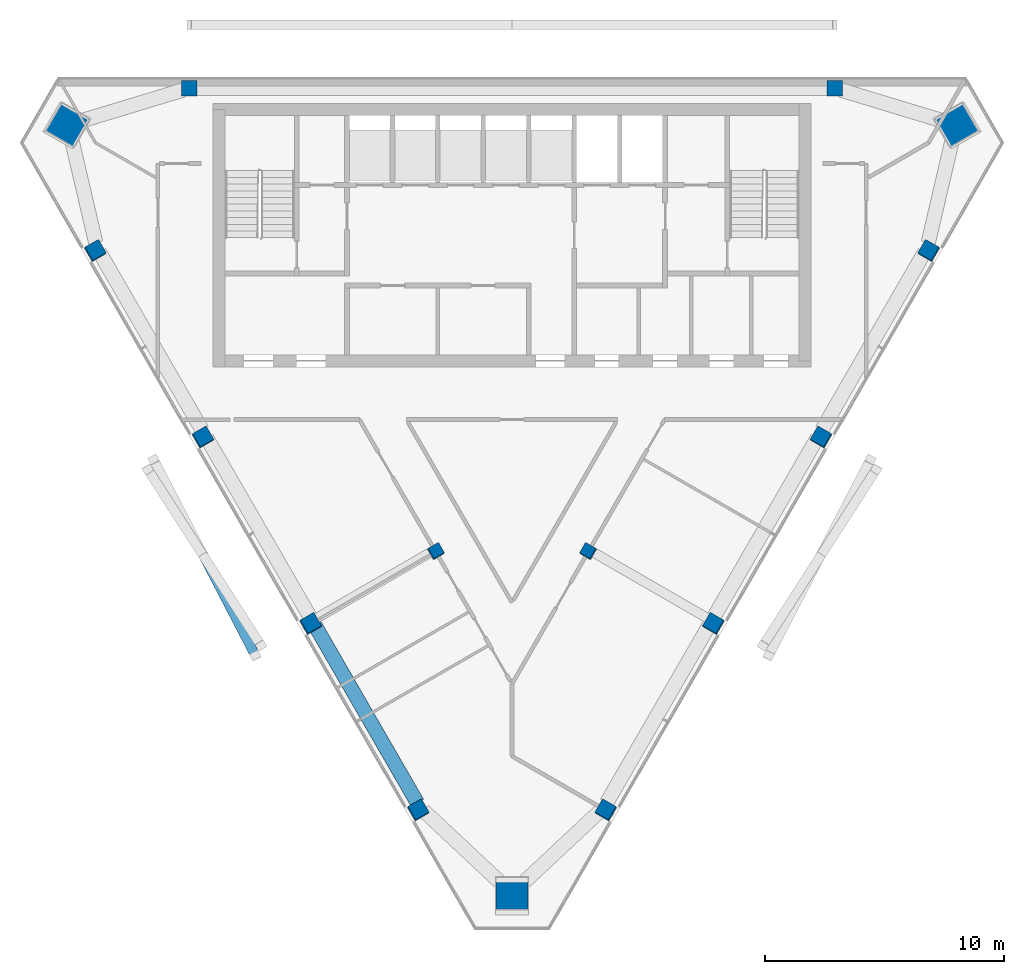
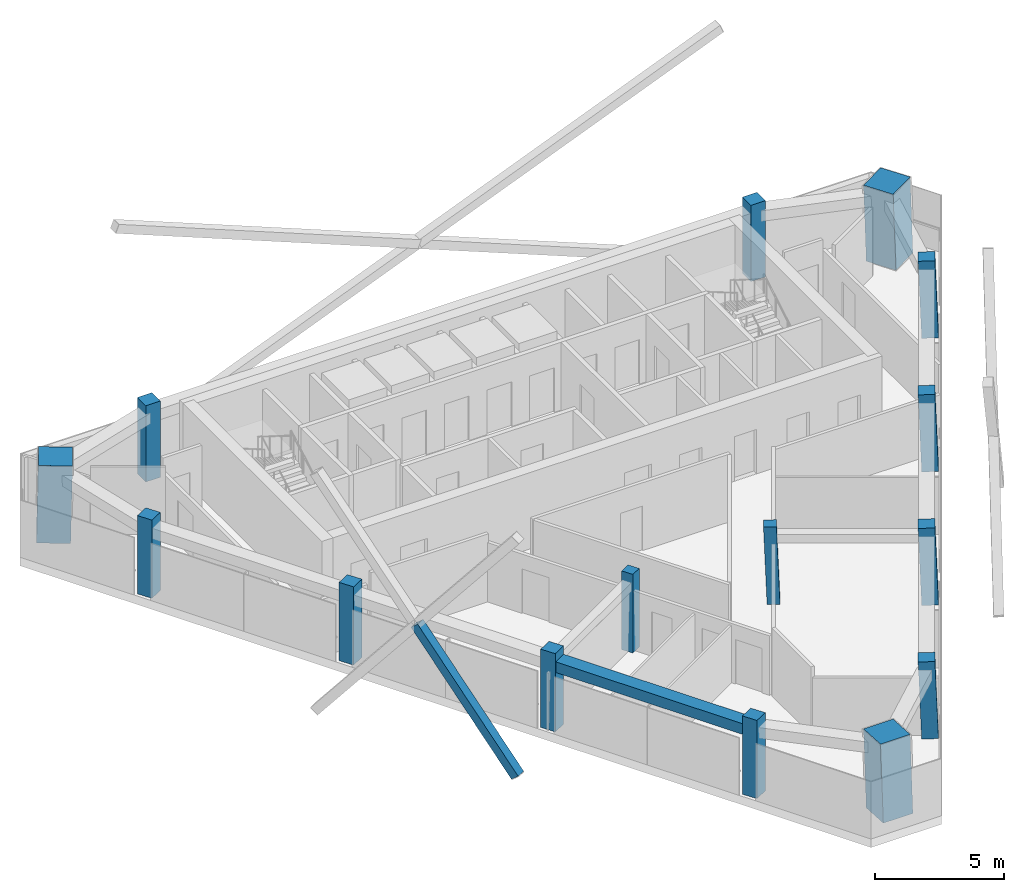
# One storey, part 1 of 10: 15 columns, 1 beam, 1 member.
"""IFC4 building model written with IfcOpenShell, lengths in metres."""

from ifc_helpers import new_model, si_unit, direction, frame, origin, origin_2d, place, context, subcontext, project, spatial, rectangle, hollow_rectangle, extrude, material, material_profile, profile_set, type_object, element, save


model = new_model("IFC4")

# Units and contexts
model_context = context("Model", 3, precision=1e-05, world=origin(), true_north=direction((0.0, 1.0)))
body_context = subcontext(model_context, "Body", "Model", "MODEL_VIEW")
ifc_project = project(units=[si_unit("LENGTHUNIT", "METRE"), si_unit("AREAUNIT", "SQUARE_METRE"), si_unit("VOLUMEUNIT", "CUBIC_METRE"), si_unit("PLANEANGLEUNIT", "RADIAN"), si_unit("MASSUNIT", "GRAM", prefix="KILO")], contexts=[model_context])

# Site, building, storey
site_placement = place(None, origin())
site = spatial("IfcSite", under=ifc_project, at=site_placement, CompositionType="ELEMENT")
building_placement = place(site_placement, origin())
building = spatial("IfcBuilding", under=site, at=building_placement, Name="Altiplano Prism Tower", CompositionType="ELEMENT")
storey_placement = place(building_placement, frame((0.0, 0.0, 347.199951171875)))
storey = spatial("IfcBuildingStorey", under=building, at=storey_placement, Name="L90", CompositionType="ELEMENT", Elevation=347.199951171875)

# Columns
ifc_material_1 = material(Name="Concrete C60/75", Category="concrete")
ifc_material_profile_1 = material_profile(ifc_material_1, rectangle(XDim=0.5, YDim=0.5, at=origin_2d()), Name="Inner column 500")
ifc_profile_set_1 = profile_set([ifc_material_profile_1], Name="Concrete C60/75")
column_type_1 = type_object("IfcColumnType", Name="Inner column 500", PredefinedType="COLUMN", material=ifc_profile_set_1)
for number, where, z_axis, x_axis, name in (
    (1, (81.806884765625, 85.17529296875, -0.01513671875), (0.022221406801, 0.038413224561, 0.999014831351), (-0.866024065394, -0.498523117158, 0.038432015521), "Inner column I13 L90"),
    (2, (88.193115234375, 85.17529296875, -0.01513671875), (-0.022221406801, 0.038413224561, 0.999014831351), (-0.499508285454, -0.866024899087, 0.022188891913), "Inner column I22 L90"),
):
    element("IfcColumn", number, at=place(storey_placement, frame(where, z_axis=z_axis, x_axis=x_axis)), inside=storey, type_object=column_type_1, Name=name, PredefinedType="COLUMN", context=body_context, shape_type="SweptSolid", body=[
        extrude(rectangle(XDim=0.5, YDim=0.5, at=origin_2d()), origin(), (0.0, 0.0, 1.0), 3.603759765625),
    ])
ifc_material_2 = material(Name="Concrete C70/85", Category="concrete")
ifc_material_profile_2 = material_profile(ifc_material_2, rectangle(XDim=1.320068359375, YDim=1.320068359375, at=origin_2d()), Name="Mega column infill 1400")
ifc_profile_set_2 = profile_set([ifc_material_profile_2], Name="Concrete C70/85")
column_type_2 = type_object("IfcColumnType", Name="Mega column infill 1400", PredefinedType="COLUMN", material=ifc_profile_set_2)
column_1_placement = place(storey_placement, frame((66.347412109375, 102.984375, 0.0), z_axis=(0.028401814599, 0.009218727412, 0.999554076572), x_axis=(-0.865125874126, 0.501157480114, 0.019960011119)))
element("IfcColumn", 3, at=column_1_placement, inside=storey, type_object=column_type_2, Name="Mega column M0 L90", PredefinedType="COLUMN", context=body_context, shape_type="SweptSolid", body=[
    extrude(rectangle(XDim=1.320068359375, YDim=1.320068359375, at=origin_2d()), origin(), (0.0, 0.0, 1.0), 3.601806640625),
])
column_2_placement = place(storey_placement, frame((85.0, 70.67724609375, 0.0), z_axis=(0.0, 0.058356907999, 0.998295783467), x_axis=(-1.0, 0.0, 0.0)))
element("IfcColumn", 4, at=column_2_placement, inside=storey, type_object=column_type_2, Name="Mega column M1 L90", PredefinedType="COLUMN", context=body_context, shape_type="SweptSolid", body=[
    extrude(rectangle(XDim=1.320068359375, YDim=1.320068359375, at=origin_2d()), origin(), (0.0, 0.0, 1.0), 3.606201171875),
])
column_3_placement = place(storey_placement, frame((103.652587890625, 102.984375, 0.0), z_axis=(-0.028401814599, 0.009218727412, 0.999554076572), x_axis=(0.500749996351, -0.865306994766, 0.022209141446)))
element("IfcColumn", 5, at=column_3_placement, inside=storey, type_object=column_type_2, Name="Mega column M2 L90", PredefinedType="COLUMN", context=body_context, shape_type="SweptSolid", body=[
    extrude(rectangle(XDim=1.320068359375, YDim=1.320068359375, at=origin_2d()), origin(), (0.0, 0.0, 1.0), 3.601806640625),
])
ifc_material_profile_3 = material_profile(ifc_material_1, rectangle(XDim=0.64990234375, YDim=0.64990234375, at=origin_2d()), Name="Perimeter column 650")
ifc_profile_set_3 = profile_set([ifc_material_profile_3], Name="Concrete C60/75")
column_type_3 = type_object("IfcColumnType", Name="Perimeter column 650", PredefinedType="COLUMN", material=ifc_profile_set_3)
for number, where, z_axis, x_axis, name in (
    (6, (98.5, 104.550048828125, 0.0), (0.0, 0.0, 1.0), (1.0, 0.0, 0.0), "Perimeter column P01 L90"),
    (7, (71.5, 104.550048828125, 0.0), (0.0, 0.0, 1.0), (1.0, 0.0, 0.0), "Perimeter column P04 L90"),
):
    element("IfcColumn", number, at=place(storey_placement, frame(where, z_axis=z_axis, x_axis=x_axis)), inside=storey, type_object=column_type_3, Name=name, PredefinedType="COLUMN", context=body_context, shape_type="SweptSolid", body=[
        extrude(rectangle(XDim=0.64990234375, YDim=0.64990234375, at=origin_2d()), origin(), (0.0, 0.0, 1.0), 3.60009765625),
    ])
for number, where, z_axis, x_axis, name in (
    (8, (67.56787109375, 97.7392578125, 0.0), (0.022207898747, 0.03842102728, 0.99901483167), (-0.865843370445, -0.498836867213, 0.03843224902), "Perimeter column P11 L90"),
    (9, (72.06787109375, 89.945068359375, 0.0), (0.022207898747, 0.03842102728, 0.99901483167), (-0.865843370445, -0.498836867213, 0.03843224902), "Perimeter column P12 L90"),
    (10, (76.56787109375, 82.15087890625, 0.0), (0.022207898747, 0.03842102728, 0.99901483167), (-0.865848778989, -0.498827497852, 0.038432008915), "Perimeter column P13 L90"),
):
    element("IfcColumn", number, at=place(storey_placement, frame(where, z_axis=z_axis, x_axis=x_axis)), inside=storey, type_object=column_type_3, Name=name, PredefinedType="COLUMN", context=body_context, shape_type="SweptSolid", body=[
        extrude(rectangle(XDim=0.64990234375, YDim=0.64990234375, at=origin_2d()), origin(), (0.0, 0.0, 1.0), 3.583740234375),
    ])
for number, where, z_axis, x_axis, name in (
    (11, (81.06787109375, 74.3564453125, 0.0), (0.02220784057, 0.038489048841, 0.999012214608), (-0.86546470395, -0.49948964474, 0.038482996438), "Perimeter column P14 L90"),
    (12, (88.93212890625, 74.3564453125, 0.0), (-0.02220784057, 0.038489048841, 0.999012214608), (-0.500477430095, -0.865464434808, 0.022218326864), "Perimeter column P21 L90"),
):
    element("IfcColumn", number, at=place(storey_placement, frame(where, z_axis=z_axis, x_axis=x_axis)), inside=storey, type_object=column_type_3, Name=name, PredefinedType="COLUMN", context=body_context, shape_type="SweptSolid", body=[
        extrude(rectangle(XDim=0.64990234375, YDim=0.64990234375, at=origin_2d()), origin(), (0.0, 0.0, 1.0), 3.583984375),
    ])
for number, where, z_axis, x_axis, name in (
    (13, (93.43212890625, 82.15087890625, 0.0), (-0.022207898747, 0.03842102728, 0.99901483167), (-0.499812666062, -0.865849266356, 0.022188888993), "Perimeter column P22 L90"),
    (14, (97.93212890625, 89.945068359375, 0.0), (-0.022207898747, 0.03842102728, 0.99901483167), (-0.499822035418, -0.865843868473, 0.022188473118), "Perimeter column P23 L90"),
    (15, (102.43212890625, 97.7392578125, 0.0), (-0.022207898747, 0.03842102728, 0.99901483167), (-0.499822035418, -0.865843868473, 0.022188473118), "Perimeter column P24 L90"),
):
    element("IfcColumn", number, at=place(storey_placement, frame(where, z_axis=z_axis, x_axis=x_axis)), inside=storey, type_object=column_type_3, Name=name, PredefinedType="COLUMN", context=body_context, shape_type="SweptSolid", body=[
        extrude(rectangle(XDim=0.64990234375, YDim=0.64990234375, at=origin_2d()), origin(), (0.0, 0.0, 1.0), 3.583740234375),
    ])

# Beam
ifc_material_profile_4 = material_profile(ifc_material_1, rectangle(XDim=0.60009765625, YDim=0.5, at=origin_2d()), Name="Edge beam 600x500")
ifc_profile_set_4 = profile_set([ifc_material_profile_4], Name="Concrete C60/75")
beam_type = type_object("IfcBeamType", Name="Edge beam 600x500", PredefinedType="SPANDREL", material=ifc_profile_set_4)
beam_placement = place(storey_placement, frame((76.750244140625, 82.11181640625, 2.949951171875), z_axis=(0.500011935685, -0.866018512604, 0.0), x_axis=(0.866018512604, 0.500011935685, 0.0)))
element("IfcBeam", 16, at=beam_placement, inside=storey, type_object=beam_type, Name="Edge beam P13-P14 L91", PredefinedType="SPANDREL", context=body_context, shape_type="SweptSolid", body=[
    extrude(rectangle(XDim=0.60009765625, YDim=0.5, at=origin_2d()), origin(), (0.0, 0.0, 1.0), 8.590087890625),
])

# Member
ifc_material_3 = material(Name="Steel S355", Category="steel")
ifc_material_profile_5 = material_profile(ifc_material_3, hollow_rectangle(XDim=0.39990234375, YDim=0.39990234375, WallThickness=0.02001953125, at=origin_2d()), Name="Mega brace Box 400x400x20")
ifc_profile_set_5 = profile_set([ifc_material_profile_5], Name="Steel S355")
member_type = type_object("IfcMemberType", Name="Mega brace Box 400x400x20", PredefinedType="BRACE", material=ifc_profile_set_5)
member_placement = place(storey_placement, frame((74.266845703125, 80.837158203125, -0.734619140625), z_axis=(-0.297999402618, 0.574316779736, 0.762467437044), x_axis=(-0.887624695965, -0.460567475093, 0.0)))
element("IfcMember", 17, at=member_placement, inside=storey, type_object=member_type, Name="Mega brace 11.1.3", PredefinedType="BRACE", context=body_context, shape_type="SweptSolid", body=[
    extrude(hollow_rectangle(XDim=0.39990234375, YDim=0.39990234375, WallThickness=0.02001953125, at=origin_2d()), origin(), (0.0, 0.0, 1.0), 7.127685546875),
])

save(model, "model.ifc")
